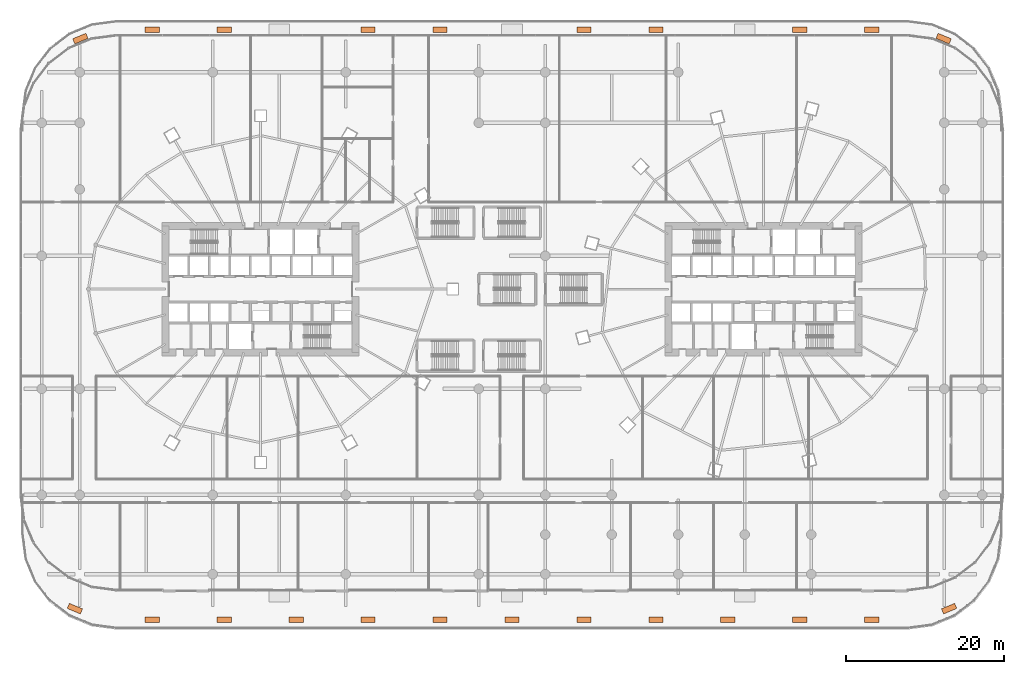
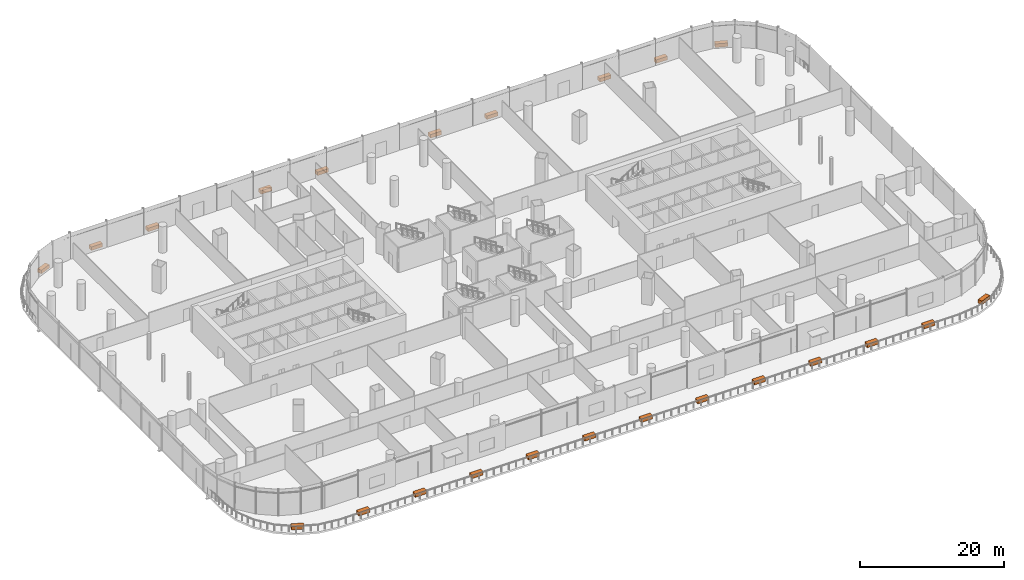
# One storey, part 43 of 43: 23 proxies.
"""IFC4 building model written with IfcOpenShell, lengths in metres."""

from ifc_helpers import new_model, si_unit, direction, frame, origin, origin_2d, place, context, subcontext, project, spatial, rectangle, extrude, material, type_object, element, save


model = new_model("IFC4")

# Units and contexts
model_context = context("Model", 3, precision=1e-05, world=origin(), true_north=direction((0.0, 1.0)))
body_context = subcontext(model_context, "Body", "Model", "MODEL_VIEW")
ifc_project = project(units=[si_unit("LENGTHUNIT", "METRE"), si_unit("AREAUNIT", "SQUARE_METRE"), si_unit("VOLUMEUNIT", "CUBIC_METRE"), si_unit("PLANEANGLEUNIT", "RADIAN"), si_unit("MASSUNIT", "GRAM", prefix="KILO")], contexts=[model_context])

# Site, building, storey
site_placement = place(None, origin())
site = spatial("IfcSite", under=ifc_project, at=site_placement, CompositionType="ELEMENT")
building_placement = place(site_placement, origin())
building = spatial("IfcBuilding", under=site, at=building_placement, Name="Rimbun Link Towers", CompositionType="ELEMENT")
storey_placement = place(building_placement, frame((0.0, 0.0, 12.0)))
storey = spatial("IfcBuildingStorey", under=building, at=storey_placement, Name="L02", CompositionType="ELEMENT", Elevation=12.0)

# Proxies
ifc_material = material(Name="Concrete C30/37", Category="concrete")
building_element_proxy_type = type_object("IfcBuildingElementProxyType", Name="PLANTER precast box 1800X700X600", PredefinedType="USERDEFINED", material=ifc_material)
for number, where, z_axis, x_axis, name in (
    (1, (-55.22021484375, -40.3623046875, 0.0), (0.0, 0.0, 1.0), (0.923881438965, -0.382678829747, 0.0), "PLANTER"),
    (2, (-45.442626953125, -41.75, 0.0), (0.0, 0.0, 1.0), (1.0, 0.0, 0.0), "PLANTER"),
    (3, (-36.35400390625, -41.75, 0.0), (0.0, 0.0, 1.0), (1.0, 0.0, 0.0), "PLANTER"),
    (4, (-27.265625, -41.75, 0.0), (0.0, 0.0, 1.0), (1.0, 0.0, 0.0), "PLANTER"),
    (5, (-18.177001953125, -41.75, 0.0), (0.0, 0.0, 1.0), (1.0, 0.0, 0.0), "PLANTER"),
    (6, (-9.088623046875, -41.75, 0.0), (0.0, 0.0, 1.0), (1.0, 0.0, 0.0), "PLANTER"),
    (7, (0.0, -41.75, 0.0), (0.0, 0.0, 1.0), (1.0, 0.0, 0.0), "PLANTER"),
    (8, (9.088623046875, -41.75, 0.0), (0.0, 0.0, 1.0), (1.0, 0.0, 0.0), "PLANTER"),
    (9, (18.177001953125, -41.75, 0.0), (0.0, 0.0, 1.0), (1.0, 0.0, 0.0), "PLANTER"),
    (10, (27.265625, -41.75, 0.0), (0.0, 0.0, 1.0), (1.0, 0.0, 0.0), "PLANTER"),
    (11, (36.35400390625, -41.75, 0.0), (0.0, 0.0, 1.0), (1.0, 0.0, 0.0), "PLANTER"),
    (12, (45.442626953125, -41.75, 0.0), (0.0, 0.0, 1.0), (1.0, 0.0, 0.0), "PLANTER"),
    (13, (55.22021484375, -40.3623046875, 0.0), (0.0, 0.0, 1.0), (0.923881438965, 0.382678829747, 0.0), "PLANTER"),
    (14, (54.52734375, 31.649169921875, 0.0), (0.0, 0.0, 1.0), (-0.923881438965, 0.382678829747, 0.0), "PLANTER"),
    (15, (45.442626953125, 32.75, 0.0), (0.0, 0.0, 1.0), (-1.0, 0.0, 0.0), "PLANTER"),
    (16, (36.35400390625, 32.75, 0.0), (0.0, 0.0, 1.0), (-1.0, 0.0, 0.0), "PLANTER"),
    (17, (18.177001953125, 32.75, 0.0), (0.0, 0.0, 1.0), (-1.0, 0.0, 0.0), "PLANTER"),
    (18, (9.088623046875, 32.75, 0.0), (0.0, 0.0, 1.0), (-1.0, 0.0, 0.0), "PLANTER"),
    (19, (-9.088623046875, 32.75, 0.0), (0.0, 0.0, 1.0), (-1.0, 0.0, 0.0), "PLANTER"),
    (20, (-18.177001953125, 32.75, 0.0), (0.0, 0.0, 1.0), (-1.0, 0.0, 0.0), "PLANTER"),
    (21, (-36.35400390625, 32.75, 0.0), (0.0, 0.0, 1.0), (-1.0, 0.0, 0.0), "PLANTER"),
    (22, (-45.442626953125, 32.75, 0.0), (0.0, 0.0, 1.0), (-1.0, 0.0, 0.0), "PLANTER"),
    (23, (-54.52734375, 31.649169921875, 0.0), (0.0, 0.0, 1.0), (-0.923881438965, -0.382678829747, 0.0), "PLANTER"),
):
    element("IfcBuildingElementProxy", number, at=place(storey_placement, frame(where, z_axis=z_axis, x_axis=x_axis)), inside=storey, type_object=building_element_proxy_type, Name=name, ObjectType="PLANTER", PredefinedType="USERDEFINED", context=body_context, shape_type="SweptSolid", body=[
        extrude(rectangle(XDim=1.800048828125, YDim=0.699951171875, at=origin_2d()), origin(), (0.0, 0.0, 1.0), 0.60009765625),
    ])

save(model, "model.ifc")
